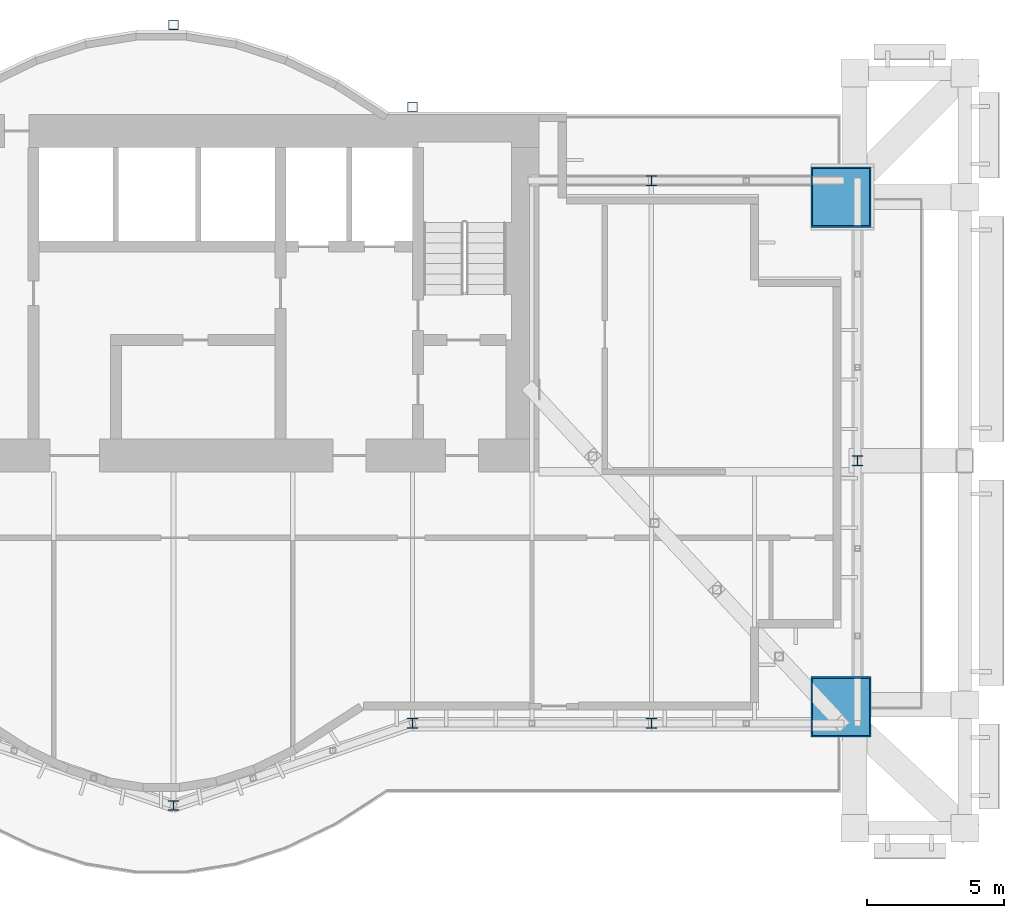
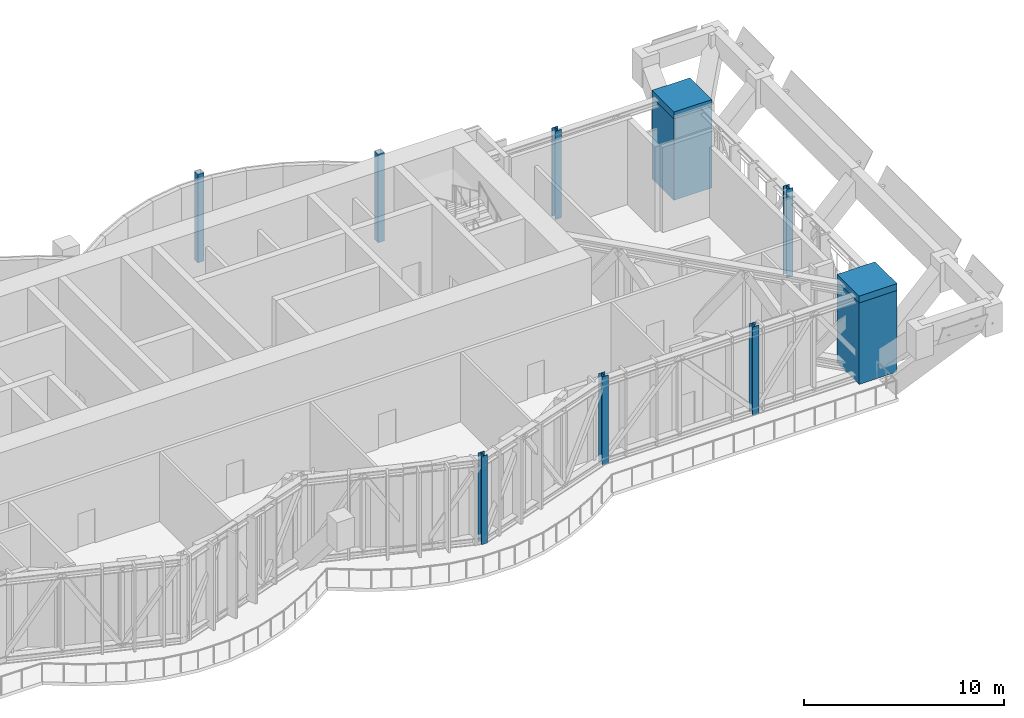
# One storey, part 2 of 20: 11 columns.
"""IFC4 building model written with IfcOpenShell, lengths in metres."""

from ifc_helpers import new_model, si_unit, direction, frame, origin, origin_2d, place, context, subcontext, project, spatial, rectangle, hollow_rectangle, i_section, extrude, material, material_profile, profile_set, type_object, element, save


model = new_model("IFC4")

# Units and contexts
model_context = context("Model", 3, precision=1e-05, world=origin(), true_north=direction((0.0, 1.0)))
body_context = subcontext(model_context, "Body", "Model", "MODEL_VIEW")
ifc_project = project(units=[si_unit("LENGTHUNIT", "METRE"), si_unit("AREAUNIT", "SQUARE_METRE"), si_unit("VOLUMEUNIT", "CUBIC_METRE"), si_unit("PLANEANGLEUNIT", "RADIAN"), si_unit("MASSUNIT", "GRAM", prefix="KILO")], contexts=[model_context])

# Site, building, storey
site_placement = place(None, origin())
site = spatial("IfcSite", under=ifc_project, at=site_placement, CompositionType="ELEMENT")
building_placement = place(site_placement, origin())
building = spatial("IfcBuilding", under=site, at=building_placement, Name="Bicima Exchange Tower", CompositionType="ELEMENT")
storey_placement = place(building_placement, frame((0.0, 0.0, 342.5)))
storey = spatial("IfcBuildingStorey", under=building, at=storey_placement, Name="L77", CompositionType="ELEMENT", Elevation=342.5)

# Columns
ifc_material_1 = material(Name="Steel ASTM A572 Gr 50", Category="steel")
ifc_material_profile_1 = material_profile(ifc_material_1, hollow_rectangle(XDim=2.199951171875, YDim=2.199951171875, WallThickness=0.06005859375, at=origin_2d()))
ifc_profile_set_1 = profile_set([ifc_material_profile_1], Name="Steel ASTM A572 Gr 50")
column_type_1 = type_object("IfcColumnType", Name="Mega column BOX 2200x2200x60", PredefinedType="COLUMN", material=ifc_profile_set_1)
for number, where, z_axis, x_axis, name in (
    (1, (33.0, -21.553955078125, 0.0), (0.0, 0.0, 1.0), (1.0, 0.0, 0.0), "Mega column mega+33.0f"),
    (2, (33.0, -3.0, 0.0), (0.0, 0.0, 1.0), (1.0, 0.0, 0.0), "Mega column mega+33.0r"),
):
    element("IfcColumn", number, at=place(storey_placement, frame(where, z_axis=z_axis, x_axis=x_axis)), inside=storey, type_object=column_type_1, Name=name, PredefinedType="COLUMN", context=body_context, shape_type="SweptSolid", body=[
        extrude(hollow_rectangle(XDim=2.199951171875, YDim=2.199951171875, WallThickness=0.06005859375, at=origin_2d()), origin(), (0.0, 0.0, 1.0), 4.97998046875),
    ])
ifc_material_profile_2 = material_profile(ifc_material_1, rectangle(XDim=2.199951171875, YDim=2.199951171875, at=origin_2d()))
ifc_profile_set_2 = profile_set([ifc_material_profile_2], Name="Steel ASTM A572 Gr 50")
column_type_2 = type_object("IfcColumnType", Name="Mega column transition block 2200 x 420", PredefinedType="COLUMN", material=ifc_profile_set_2)
for number, where, z_axis, x_axis, name in (
    (3, (33.0, -21.553955078125, 4.97998046875), (0.0, 0.0, 1.0), (1.0, 0.0, 0.0), "Mega column transition block mega+33.0f"),
    (4, (33.0, -3.0, 4.97998046875), (0.0, 0.0, 1.0), (1.0, 0.0, 0.0), "Mega column transition block mega+33.0r"),
):
    element("IfcColumn", number, at=place(storey_placement, frame(where, z_axis=z_axis, x_axis=x_axis)), inside=storey, type_object=column_type_2, Name=name, PredefinedType="COLUMN", context=body_context, shape_type="SweptSolid", body=[
        extrude(rectangle(XDim=2.199951171875, YDim=2.199951171875, at=origin_2d()), origin(), (0.0, 0.0, 1.0), 0.419921875),
    ])
ifc_material_2 = material(Name="Steel ASTM A992 Gr 50", Category="steel")
ifc_material_profile_3 = material_profile(ifc_material_2, i_section(OverallWidth=0.368408203125, OverallDepth=0.355712890625, WebThickness=0.01123046875, FlangeThickness=0.01806640625, at=origin_2d()))
ifc_profile_set_3 = profile_set([ifc_material_profile_3], Name="Steel ASTM A992 Gr 50")
column_type_3 = type_object("IfcColumnType", Name="Perimeter column W14x90", PredefinedType="COLUMN", material=ifc_profile_set_3)
for number, where, z_axis, x_axis, name in (
    (5, (8.699951171875, -25.14501953125, 0.0), (0.0, 0.0, 1.0), (1.0, 0.0, 0.0), "Perimeter column grav+8.7f"),
    (6, (17.39990234375, -22.154052734375, 0.0), (0.0, 0.0, 1.0), (1.0, 0.0, 0.0), "Perimeter column grav+17.4f"),
    (7, (26.10009765625, -22.154052734375, 0.0), (0.0, 0.0, 1.0), (1.0, 0.0, 0.0), "Perimeter column grav+26.1f"),
    (8, (26.10009765625, -2.39990234375, 0.0), (0.0, 0.0, 1.0), (1.0, 0.0, 0.0), "Perimeter column grav+26.1r"),
    (9, (33.60009765625, -12.60009765625, 0.0), (0.0, 0.0, 1.0), (1.0, 0.0, 0.0), "End column end+33.6e"),
):
    element("IfcColumn", number, at=place(storey_placement, frame(where, z_axis=z_axis, x_axis=x_axis)), inside=storey, type_object=column_type_3, Name=name, PredefinedType="COLUMN", context=body_context, shape_type="SweptSolid", body=[
        extrude(i_section(OverallWidth=0.368408203125, OverallDepth=0.355712890625, WebThickness=0.01123046875, FlangeThickness=0.01806640625, at=origin_2d()), origin(), (0.0, 0.0, 1.0), 5.39990234375),
    ])
ifc_material_profile_4 = material_profile(ifc_material_1, hollow_rectangle(XDim=0.355712890625, YDim=0.355712890625, WallThickness=0.01171875, at=origin_2d()))
ifc_profile_set_4 = profile_set([ifc_material_profile_4], Name="Steel ASTM A572 Gr 50")
column_type_4 = type_object("IfcColumnType", Name="Rear pilaster HSS14x14x1/2", PredefinedType="COLUMN", material=ifc_profile_set_4)
for number, where, z_axis, x_axis, name in (
    (10, (8.699951171875, 3.26904296875, 0.0), (0.0, 0.0, 1.0), (1.0, 0.0, 0.0), "Rear pilaster rexo+8.7r"),
    (11, (17.39990234375, 0.278076171875, 0.0), (0.0, 0.0, 1.0), (1.0, 0.0, 0.0), "Rear pilaster rexo+17.4r"),
):
    element("IfcColumn", number, at=place(storey_placement, frame(where, z_axis=z_axis, x_axis=x_axis)), inside=storey, type_object=column_type_4, Name=name, PredefinedType="COLUMN", context=body_context, shape_type="SweptSolid", body=[
        extrude(hollow_rectangle(XDim=0.355712890625, YDim=0.355712890625, WallThickness=0.01171875, at=origin_2d()), origin(), (0.0, 0.0, 1.0), 5.39990234375),
    ])

save(model, "model.ifc")
